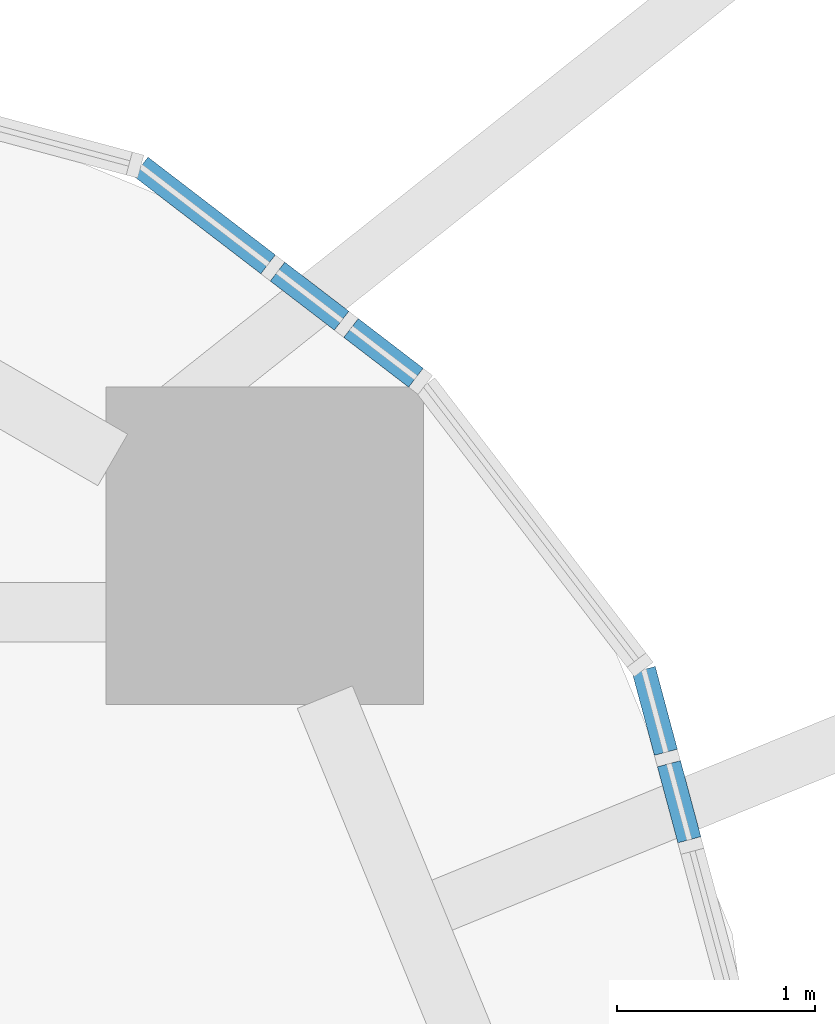
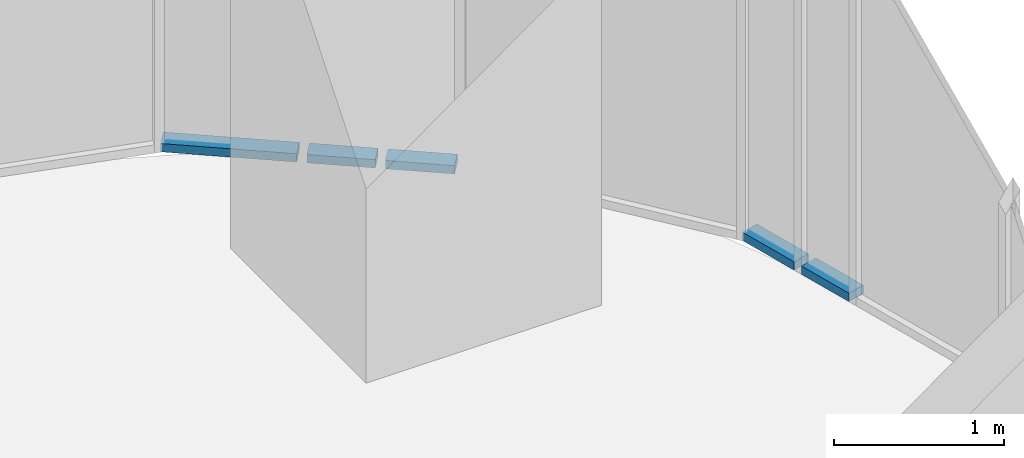
# One storey, part 18 of 36: 5 members, 5 elements without a shape of their own.
"""IFC4 building model written with IfcOpenShell, lengths in metres."""

from ifc_helpers import new_model, si_unit, direction, frame, origin, origin_2d, place, context, subcontext, project, spatial, rectangle, extrude, material, layer, layer_set, material_profile, profile_set, type_object, element, aggregate, save


model = new_model("IFC4")

# Units and contexts
model_context = context("Model", 3, precision=1e-05, world=origin(), true_north=direction((0.0, 1.0)))
body_context = subcontext(model_context, "Body", "Model", "MODEL_VIEW")
ifc_project = project(units=[si_unit("LENGTHUNIT", "METRE"), si_unit("AREAUNIT", "SQUARE_METRE"), si_unit("VOLUMEUNIT", "CUBIC_METRE"), si_unit("PLANEANGLEUNIT", "RADIAN"), si_unit("MASSUNIT", "GRAM", prefix="KILO")], contexts=[model_context])

# Site, building, storey
site_placement = place(None, origin())
site = spatial("IfcSite", under=ifc_project, at=site_placement, CompositionType="ELEMENT")
building_placement = place(site_placement, origin())
building = spatial("IfcBuilding", under=site, at=building_placement, Name="Marenta Gate Hotel Tower", CompositionType="ELEMENT")
storey_placement = place(building_placement, frame((0.0, 0.0, 130.10009765625)))
storey = spatial("IfcBuildingStorey", under=building, at=storey_placement, Name="L29", CompositionType="ELEMENT", Elevation=130.10009765625)

# Curtain wall, member
ifc_material_1 = material(Name="Tinted insulated glass in bronze anodised frame", Category="glass")
ifc_layer = layer(ifc_material_1, 0.1201171875)
ifc_layer_set = layer_set([ifc_layer], Name="Tinted insulated glass in bronze anodised frame")
curtain_wall_type = type_object("IfcCurtainWallType", Name="Tower unitised curtain wall CW1", PredefinedType="NOTDEFINED", material=ifc_layer_set)
curtain_wall_1_placement = place(storey_placement, origin())
curtain_wall_1 = element("IfcCurtainWall", 1, at=curtain_wall_1_placement, inside=storey, type_object=curtain_wall_type, Name="CW1 run G37", PredefinedType="NOTDEFINED")
ifc_material_2 = material(Name="Bronze anodised aluminium", Category="aluminium")
ifc_material_profile = material_profile(ifc_material_2, rectangle(XDim=0.1201171875, YDim=0.06005859375, at=origin_2d()), Name="Transom CW1 60x120 bronze anodised aluminium")
ifc_profile_set = profile_set([ifc_material_profile], Name="Bronze anodised aluminium")
member_type = type_object("IfcMemberType", Name="Transom CW1 60x120 bronze anodised aluminium", PredefinedType="USERDEFINED", material=ifc_profile_set)
member_1_placement = place(storey_placement, frame((26.97607421875, 24.053466796875, 0.02978515625), z_axis=(-0.259156577662, 0.965835321499, 0.0), x_axis=(-0.965835321499, -0.259156577662, 0.0)))
member_1 = element("IfcMember", 2, at=member_1_placement, type_object=member_type, Name="CW1 transom 1.1", ObjectType="TRANSOM", PredefinedType="USERDEFINED", context=body_context, shape_type="SweptSolid", body=[
    extrude(rectangle(XDim=0.1201171875, YDim=0.06005859375, at=origin_2d()), origin(), (0.0, 0.0, 1.0), 0.396728515625),
])
aggregate(curtain_wall_1, [member_1])

curtain_wall_2_placement = place(storey_placement, origin())
curtain_wall_2 = element("IfcCurtainWall", 3, at=curtain_wall_2_placement, inside=storey, type_object=curtain_wall_type, Name="CW1 run G38", PredefinedType="NOTDEFINED")
member_2_placement = place(storey_placement, frame((26.857666015625, 24.49462890625, 0.02978515625), z_axis=(-0.258613509278, 0.965980876011, 0.0), x_axis=(-0.965980876011, -0.258613509278, 0.0)))
member_2 = element("IfcMember", 4, at=member_2_placement, type_object=member_type, Name="CW1 transom 1.1", ObjectType="TRANSOM", PredefinedType="USERDEFINED", context=body_context, shape_type="SweptSolid", body=[
    extrude(rectangle(XDim=0.1201171875, YDim=0.06005859375, at=origin_2d()), origin(), (0.0, 0.0, 1.0), 0.431396484375),
])
aggregate(curtain_wall_2, [member_2])

curtain_wall_3_placement = place(storey_placement, origin())
curtain_wall_3 = element("IfcCurtainWall", 5, at=curtain_wall_3_placement, inside=storey, type_object=curtain_wall_type, Name="CW1 run G40", PredefinedType="NOTDEFINED")
member_3_placement = place(storey_placement, frame((25.597900390625, 26.382080078125, 0.02978515625), z_axis=(-0.793482352244, 0.608593260459, 0.0), x_axis=(-0.608593260459, -0.793482352244, 0.0)))
member_3 = element("IfcMember", 6, at=member_3_placement, type_object=member_type, Name="CW1 transom 1.1", ObjectType="TRANSOM", PredefinedType="USERDEFINED", context=body_context, shape_type="SweptSolid", body=[
    extrude(rectangle(XDim=0.1201171875, YDim=0.06005859375, at=origin_2d()), origin(), (0.0, 0.0, 1.0), 0.411865234375),
])
aggregate(curtain_wall_3, [member_3])

curtain_wall_4_placement = place(storey_placement, origin())
curtain_wall_4 = element("IfcCurtainWall", 7, at=curtain_wall_4_placement, inside=storey, type_object=curtain_wall_type, Name="CW1 run G41", PredefinedType="NOTDEFINED")
member_4_placement = place(storey_placement, frame((25.223388671875, 26.66943359375, 0.02978515625), z_axis=(-0.793471096038, 0.608607935992, 0.0), x_axis=(-0.608607935992, -0.793471096038, 0.0)))
member_4 = element("IfcMember", 8, at=member_4_placement, type_object=member_type, Name="CW1 transom 1.1", ObjectType="TRANSOM", PredefinedType="USERDEFINED", context=body_context, shape_type="SweptSolid", body=[
    extrude(rectangle(XDim=0.1201171875, YDim=0.06005859375, at=origin_2d()), origin(), (0.0, 0.0, 1.0), 0.40673828125),
])
aggregate(curtain_wall_4, [member_4])

curtain_wall_5_placement = place(storey_placement, origin())
curtain_wall_5 = element("IfcCurtainWall", 9, at=curtain_wall_5_placement, inside=storey, type_object=curtain_wall_type, Name="CW1 run G42", PredefinedType="NOTDEFINED")
member_5_placement = place(storey_placement, frame((24.85302734375, 26.95361328125, 0.02978515625), z_axis=(-0.793397450201, 0.608703939542, 0.0), x_axis=(-0.608703939542, -0.793397450201, 0.0)))
member_5 = element("IfcMember", 10, at=member_5_placement, type_object=member_type, Name="CW1 transom 1.1", ObjectType="TRANSOM", PredefinedType="USERDEFINED", context=body_context, shape_type="SweptSolid", body=[
    extrude(rectangle(XDim=0.1201171875, YDim=0.06005859375, at=origin_2d()), origin(), (0.0, 0.0, 1.0), 0.80908203125),
])
aggregate(curtain_wall_5, [member_5])

save(model, "model.ifc")
